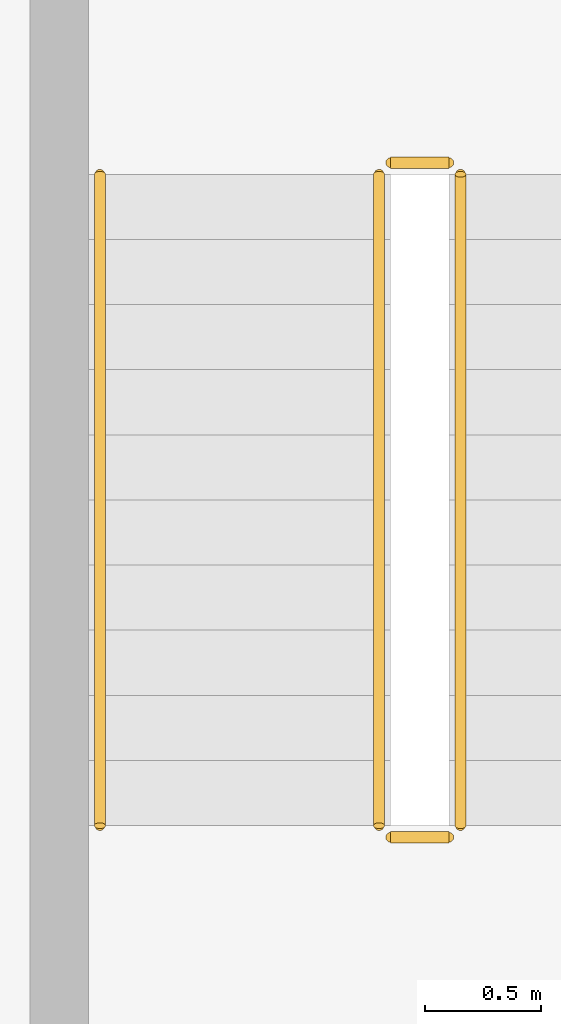
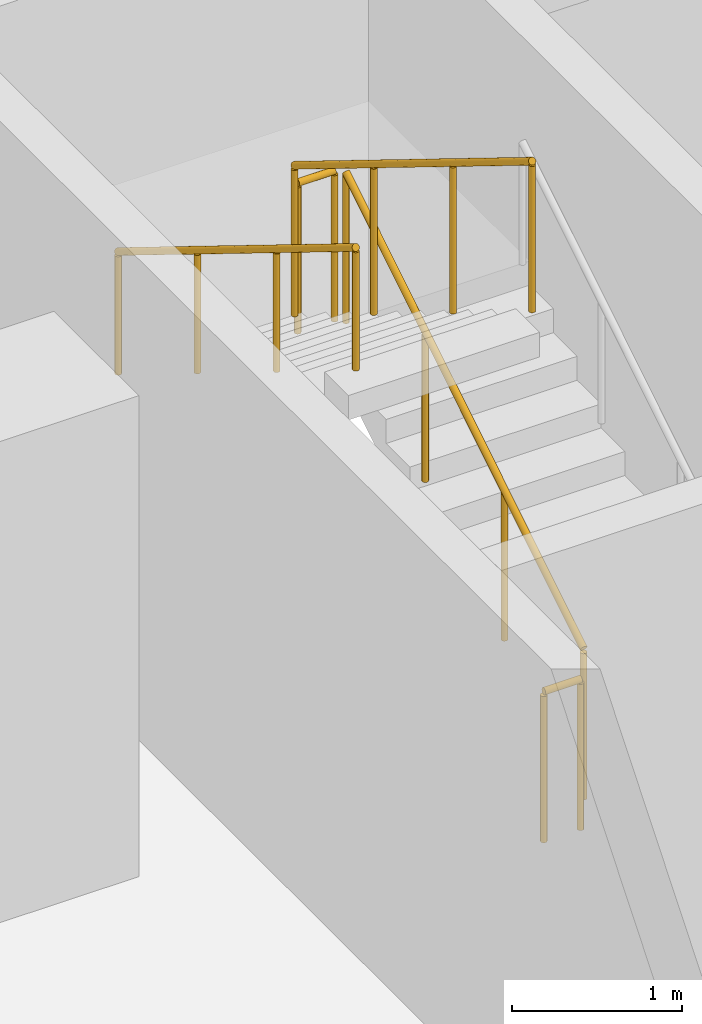
# One storey, part 29 of 32: 5 railings.
"""IFC4 building model written with IfcOpenShell, lengths in metres."""

import ifcopenshell
import ifcopenshell.guid

model = None  # the IFC model being written
_history = None  # IfcOwnerHistory: only IFC2X3 demands one
_inside = {}  # id of a spatial element -> (the spatial element, [elements in it])
_under = {}  # id of a project, library or spatial element -> (it, [spatial elements below it])
_declared = {}  # id of a project -> (the project, [libraries it declares])
_typed = {}  # id of a type object -> (the type object, [elements of that type])
_made_of = {}  # id of a material, layer set ... -> (it, [elements and type objects made of it])


def new_model(schema):
    """Start an empty IFC model of exactly this schema.

    Asked for "IFC4X3", IfcOpenShell would pick the latest addendum, in which some entities
    have other attributes; the version numbers below select the first issue.
    IFC2X3 requires an IfcOwnerHistory on every rooted entity: one is made here for all.
    """
    global model, _history
    if schema == "IFC4X3":
        model = ifcopenshell.file(schema_version=(4, 3, 0, 0))
    else:
        model = ifcopenshell.file(schema=schema)
    _inside.clear()
    _under.clear()
    _declared.clear()
    _typed.clear()
    _made_of.clear()
    _history = None
    if model.schema == "IFC2X3":
        org = make("IfcOrganization", Name="unknown")
        user = make(
            "IfcPersonAndOrganization",
            ThePerson=make("IfcPerson", FamilyName="unknown"),
            TheOrganization=org,
        )
        app = make(
            "IfcApplication",
            ApplicationDeveloper=org,
            Version="unknown",
            ApplicationFullName="unknown",
            ApplicationIdentifier="unknown",
        )
        _history = make(
            "IfcOwnerHistory",
            OwningUser=user,
            OwningApplication=app,
            ChangeAction="ADDED",
            CreationDate=0,
        )
    return model


def make(cls, **values):
    """One entity of the class cls with the attributes given. An attribute that is None is left unset."""
    return model.create_entity(
        cls, **{name: value for name, value in values.items() if value is not None}
    )


def rooted(cls, **values):
    """An entity with a GlobalId (a new one), such as an element, a storey or a relation."""
    return make(cls, GlobalId=ifcopenshell.guid.new(), OwnerHistory=_history, **values)


def si_unit(unit_type, name, prefix=None):
    """IfcSIUnit, for example si_unit("LENGTHUNIT", "METRE", prefix="MILLI")."""
    return make("IfcSIUnit", UnitType=unit_type, Prefix=prefix, Name=name)


def assignment(units):
    """IfcUnitAssignment: the units of a project."""
    return None if units is None else make("IfcUnitAssignment", Units=units)


def point(xyz):
    """IfcCartesianPoint."""
    return None if xyz is None else make("IfcCartesianPoint", Coordinates=xyz)


def direction(xyz):
    """IfcDirection."""
    return None if xyz is None else make("IfcDirection", DirectionRatios=xyz)


def frame(location, z_axis=None, x_axis=None):
    """IfcAxis2Placement3D, a coordinate frame: its origin and axes. An axis left out is left unset."""
    return make(
        "IfcAxis2Placement3D",
        Location=point(location),
        Axis=direction(z_axis),
        RefDirection=direction(x_axis),
    )


def frame_2d(location, x_axis=None):
    """IfcAxis2Placement2D, a coordinate frame in the plane: its origin and x axis."""
    return make(
        "IfcAxis2Placement2D", Location=point(location), RefDirection=direction(x_axis)
    )


def origin():
    """The frame at (0, 0, 0) with its axes left unset."""
    return frame((0.0, 0.0, 0.0))


def origin_2d():
    """The frame at (0, 0) in the plane with its x axis left unset."""
    return frame_2d((0.0, 0.0))


def place(relative_to, where):
    """IfcLocalPlacement: puts the frame where relative to a parent placement (None: the world)."""
    return make(
        "IfcLocalPlacement", PlacementRelTo=relative_to, RelativePlacement=where
    )


def context(
    kind, dimensions, precision=None, world=None, true_north=None, identifier=None
):
    """IfcGeometricRepresentationContext, for example the 3D "Model" context."""
    return make(
        "IfcGeometricRepresentationContext",
        ContextIdentifier=identifier,
        ContextType=kind,
        CoordinateSpaceDimension=dimensions,
        Precision=precision,
        WorldCoordinateSystem=world,
        TrueNorth=true_north,
    )


def subcontext(parent, identifier, kind, view, scale=None):
    """IfcGeometricRepresentationSubContext, for example "Body" below "Model"."""
    return make(
        "IfcGeometricRepresentationSubContext",
        ContextIdentifier=identifier,
        ContextType=kind,
        ParentContext=parent,
        TargetScale=scale,
        TargetView=view,
    )


def project(units=None, contexts=None):
    """IfcProject with its units and contexts."""
    return rooted(
        "IfcProject",
        Name="project",
        RepresentationContexts=contexts,
        UnitsInContext=assignment(units),
    )


def spatial(cls, under=None, at=None, **own):
    """A site, building, storey or space (cls), placed at a placement, below another one or the project."""
    s = rooted(cls, ObjectPlacement=at, **own)
    if under is not None:
        _under.setdefault(under.id(), (under, []))[1].append(s)
    return s


def profile(cls, at=None, kind="AREA", **sizes):
    """A parametric profile (cls). Its sizes go by their IFC names, for example OverallWidth=200.0."""
    return make(cls, ProfileType=kind, Position=at, **sizes)


def circle(**sizes):
    """IfcCircleProfileDef."""
    return profile("IfcCircleProfileDef", **sizes)


def extrude(swept, where, along, depth):
    """IfcExtrudedAreaSolid: the profile swept, set in the frame where, extruded along a direction by depth."""
    return make(
        "IfcExtrudedAreaSolid",
        SweptArea=swept,
        Position=where,
        ExtrudedDirection=direction(along),
        Depth=depth,
    )


def shape(context_of_items, identifier, shape_type, items):
    """IfcShapeRepresentation: the items that make up one representation, for example the "Body"."""
    return make(
        "IfcShapeRepresentation",
        ContextOfItems=context_of_items,
        RepresentationIdentifier=identifier,
        RepresentationType=shape_type,
        Items=items,
    )


def material(Name=None, Category=None):
    """IfcMaterial."""
    return make("IfcMaterial", Name=Name, Category=Category)


def made_of(thing, what):
    """Note that an element or type object is made of a material, layer set ...; save() writes the relation."""
    if what is not None:
        _made_of.setdefault(what.id(), (what, []))[1].append(thing)
    return thing


def type_object(cls, material=None, **own):
    """A type object (cls), such as IfcWallType, which elements share."""
    return made_of(rooted(cls, **own), material)


def element(
    cls,
    number,
    at=None,
    inside=None,
    cuts=None,
    type_object=None,
    material=None,
    context=None,
    identifier="Body",
    shape_type=None,
    held_by="IfcProductDefinitionShape",
    body=None,
    shapes=None,
    **own,
):
    """One element of the class cls, such as IfcWall. Its Tag is "e" and its number.

    at: its placement. inside: the storey or other place that contains it. cuts: it is an
    opening in that element (IfcRelVoidsElement). A single representation is given by context,
    identifier, shape_type and body (its items); several are given by shapes. held_by: the class
    of the entity that holds the representations. save() writes the other relations.
    """
    e = rooted(cls, Tag="e%d" % number, ObjectPlacement=at, **own)
    if body is not None:
        shapes = [shape(context, identifier, shape_type, body)]
    if shapes is not None:
        e.Representation = make(held_by, Representations=shapes)
    if inside is not None:
        _inside.setdefault(inside.id(), (inside, []))[1].append(e)
    if cuts is not None:
        rooted(
            "IfcRelVoidsElement", RelatingBuildingElement=cuts, RelatedOpeningElement=e
        )
    if type_object is not None:
        _typed.setdefault(type_object.id(), (type_object, []))[1].append(e)
    return made_of(e, material)


def aggregate(whole, parts):
    """IfcRelAggregates: a whole, such as a stair, and the parts it consists of."""
    return rooted("IfcRelAggregates", RelatingObject=whole, RelatedObjects=parts)


def save(model, path):
    """Write the relations noted so far, then the file.

    IfcRelAggregates (storeys below a building ...), IfcRelContainedInSpatialStructure (elements
    in a storey), IfcRelDefinesByType, IfcRelAssociatesMaterial and IfcRelDeclares: one each for
    every whole, place, type object, material and project.
    """
    for whole, parts in _under.values():
        aggregate(whole, parts)
    for where, things in _inside.values():
        rooted(
            "IfcRelContainedInSpatialStructure",
            RelatedElements=things,
            RelatingStructure=where,
        )
    for kind, things in _typed.values():
        rooted("IfcRelDefinesByType", RelatedObjects=things, RelatingType=kind)
    for what, things in _made_of.values():
        rooted("IfcRelAssociatesMaterial", RelatedObjects=things, RelatingMaterial=what)
    for by, libraries in _declared.values():
        rooted("IfcRelDeclares", RelatingContext=by, RelatedDefinitions=libraries)
    model.write(path)


model = new_model("IFC4")

# Units and contexts
model_context = context("Model", 3, precision=1e-05, world=origin(), true_north=direction((0.0, 1.0)))
body_context = subcontext(model_context, "Body", "Model", "MODEL_VIEW")
ifc_project = project(units=[si_unit("LENGTHUNIT", "METRE"), si_unit("AREAUNIT", "SQUARE_METRE"), si_unit("VOLUMEUNIT", "CUBIC_METRE"), si_unit("PLANEANGLEUNIT", "RADIAN"), si_unit("MASSUNIT", "GRAM", prefix="KILO")], contexts=[model_context])

# Site, building, storey
site_placement = place(None, origin())
site = spatial("IfcSite", under=ifc_project, at=site_placement, CompositionType="ELEMENT")
building_placement = place(site_placement, origin())
building = spatial("IfcBuilding", under=site, at=building_placement, Name="Mahtab Terrace Research Tower", CompositionType="ELEMENT")
storey_placement = place(building_placement, frame((0.0, 0.0, 236.199951171875)))
storey = spatial("IfcBuildingStorey", under=building, at=storey_placement, Name="L57", CompositionType="ELEMENT", Elevation=236.199951171875)

# Railings
ifc_material = material(Name="Stainless steel AISI 304", Category="steel")
railing_type_1 = type_object("IfcRailingType", Name="Stair guard 1100", PredefinedType="GUARDRAIL", material=ifc_material)
railing_1_placement = place(storey_placement, frame((21.050048828125, 10.175048828125, 0.1728515625)))
element("IfcRailing", 1, at=railing_1_placement, inside=storey, type_object=railing_type_1, Name="L57 ST3 stair guard 1", PredefinedType="GUARDRAIL", context=body_context, shape_type="SweptSolid", body=[
    extrude(circle(Radius=0.02392578125, at=origin_2d()), frame((0.0, 0.0, 1.076171875), z_axis=(0.0, 0.851089632645, 0.525020415988), x_axis=(-1.0, 0.0, 0.0)), (0.0, 0.0, 1.0), 3.2900390625),
    extrude(circle(Radius=0.02099609375, at=origin_2d()), origin(), (0.0, 0.0, 1.0), 1.052001953125),
    extrude(circle(Radius=0.02099609375, at=origin_2d()), frame((0.0, 0.933349609375, 0.57568359375)), (0.0, 0.0, 1.0), 1.052001953125),
    extrude(circle(Radius=0.02099609375, at=origin_2d()), frame((0.0, 1.86669921875, 1.151611328125)), (0.0, 0.0, 1.0), 1.052001953125),
    extrude(circle(Radius=0.02099609375, at=origin_2d()), frame((0.0, 2.800048828125, 1.727294921875)), (0.0, 0.0, 1.0), 1.052001953125),
])
railing_2_placement = place(storey_placement, frame((21.0, 13.02490234375, 1.900146484375)))
element("IfcRailing", 2, at=railing_2_placement, inside=storey, type_object=railing_type_1, Name="L57 ST3 stair guard 2", PredefinedType="GUARDRAIL", context=body_context, shape_type="SweptSolid", body=[
    extrude(circle(Radius=0.02392578125, at=origin_2d()), frame((0.0, 0.0, 1.076171875), z_axis=(-1.0, 0.0, 0.0), x_axis=(0.0, -1.0, 0.0)), (0.0, 0.0, 1.0), 0.25),
    extrude(circle(Radius=0.02099609375, at=origin_2d()), origin(), (0.0, 0.0, 1.0), 1.052001953125),
    extrude(circle(Radius=0.02099609375, at=origin_2d()), frame((-0.25, 0.0, 0.0)), (0.0, 0.0, 1.0), 1.052001953125),
])
railing_3_placement = place(storey_placement, frame((20.699951171875, 12.97509765625, 2.07275390625)))
element("IfcRailing", 3, at=railing_3_placement, inside=storey, type_object=railing_type_1, Name="L57 ST3 stair guard 3", PredefinedType="GUARDRAIL", context=body_context, shape_type="SweptSolid", body=[
    extrude(circle(Radius=0.02392578125, at=origin_2d()), frame((0.0, 0.0, 1.076171875), z_axis=(0.0, -0.851089632645, 0.525020415988), x_axis=(1.0, 0.0, 0.0)), (0.0, 0.0, 1.0), 3.2900390625),
    extrude(circle(Radius=0.02099609375, at=origin_2d()), origin(), (0.0, 0.0, 1.0), 1.052001953125),
    extrude(circle(Radius=0.02099609375, at=origin_2d()), frame((0.0, -0.933349609375, 0.57568359375)), (0.0, 0.0, 1.0), 1.052001953125),
    extrude(circle(Radius=0.02099609375, at=origin_2d()), frame((0.0, -1.86669921875, 1.151611328125)), (0.0, 0.0, 1.0), 1.052001953125),
    extrude(circle(Radius=0.02099609375, at=origin_2d()), frame((0.0, -2.800048828125, 1.727294921875)), (0.0, 0.0, 1.0), 1.052001953125),
])
railing_4_placement = place(storey_placement, frame((21.0, 10.125, 0.0)))
element("IfcRailing", 4, at=railing_4_placement, inside=storey, type_object=railing_type_1, Name="L57 ST3 stair guard 4", PredefinedType="GUARDRAIL", context=body_context, shape_type="SweptSolid", body=[
    extrude(circle(Radius=0.02392578125, at=origin_2d()), frame((0.0, 0.0, 1.076171875), z_axis=(-1.0, 0.0, 0.0), x_axis=(0.0, -1.0, 0.0)), (0.0, 0.0, 1.0), 0.25),
    extrude(circle(Radius=0.02099609375, at=origin_2d()), origin(), (0.0, 0.0, 1.0), 1.052001953125),
    extrude(circle(Radius=0.02099609375, at=origin_2d()), frame((-0.25, 0.0, 0.0)), (0.0, 0.0, 1.0), 1.052001953125),
])
railing_type_2 = type_object("IfcRailingType", Name="Stair handrail 900", PredefinedType="HANDRAIL", material=ifc_material)
railing_5_placement = place(storey_placement, frame((19.5, 12.97509765625, 2.07275390625)))
element("IfcRailing", 5, at=railing_5_placement, inside=storey, type_object=railing_type_2, Name="L57 ST3 stair handrail 2", PredefinedType="HANDRAIL", context=body_context, shape_type="SweptSolid", body=[
    extrude(circle(Radius=0.02392578125, at=origin_2d()), frame((0.0, 0.0, 0.8759765625), z_axis=(0.0, -0.851089632645, 0.525020415988), x_axis=(1.0, 0.0, 0.0)), (0.0, 0.0, 1.0), 3.2900390625),
    extrude(circle(Radius=0.02099609375, at=origin_2d()), origin(), (0.0, 0.0, 1.0), 0.851806640625),
    extrude(circle(Radius=0.02099609375, at=origin_2d()), frame((0.0, -0.933349609375, 0.57568359375)), (0.0, 0.0, 1.0), 0.851806640625),
    extrude(circle(Radius=0.02099609375, at=origin_2d()), frame((0.0, -1.86669921875, 1.151611328125)), (0.0, 0.0, 1.0), 0.851806640625),
    extrude(circle(Radius=0.02099609375, at=origin_2d()), frame((0.0, -2.800048828125, 1.727294921875)), (0.0, 0.0, 1.0), 0.851806640625),
])

save(model, "model.ifc")
